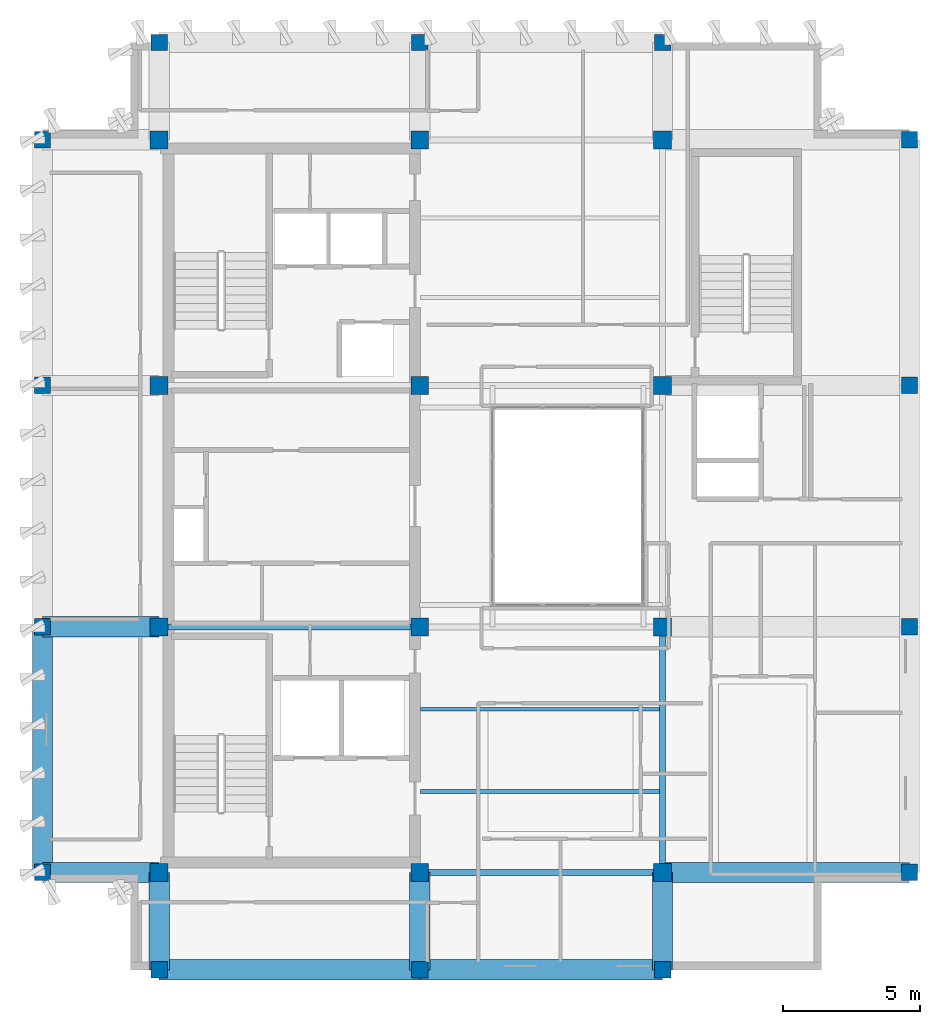
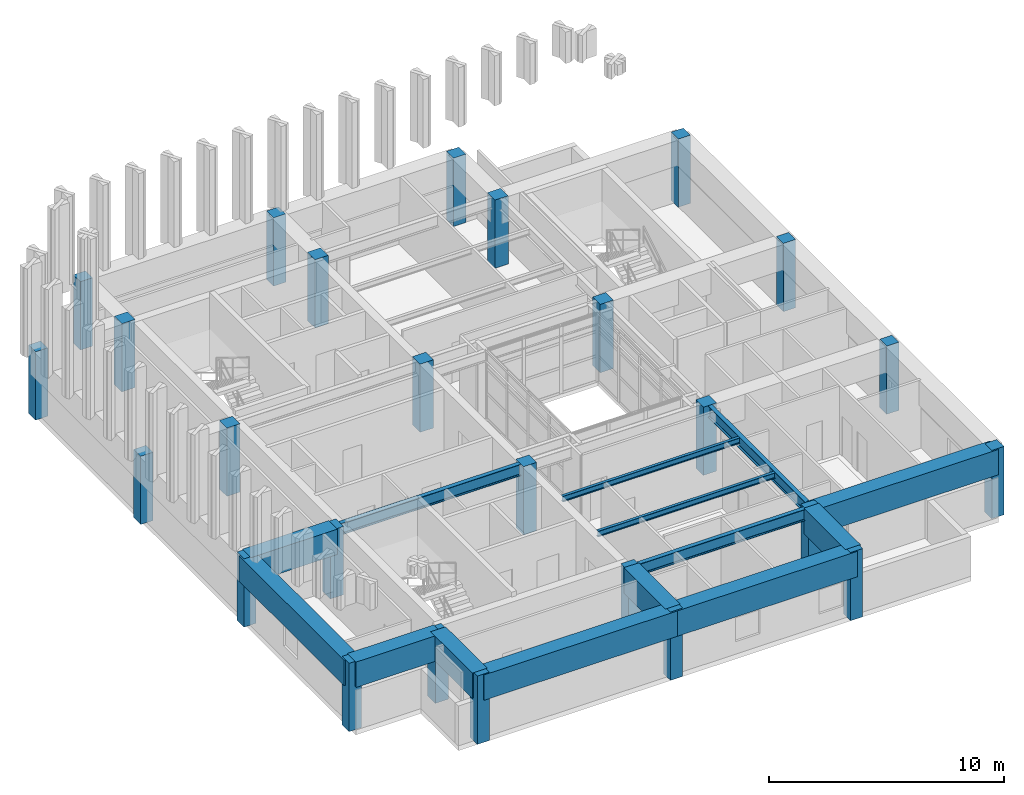
# One storey, part 1 of 11: 26 columns, 14 beams.
"""IFC4 building model written with IfcOpenShell, lengths in metres."""

from ifc_helpers import new_model, si_unit, direction, frame, origin, origin_2d, place, context, subcontext, project, spatial, rectangle, i_section, extrude, material, material_profile, profile_set, type_object, element, save


model = new_model("IFC4")

# Units and contexts
model_context = context("Model", 3, precision=1e-05, world=origin(), true_north=direction((0.0, 1.0)))
body_context = subcontext(model_context, "Body", "Model", "MODEL_VIEW")
ifc_project = project(units=[si_unit("LENGTHUNIT", "METRE"), si_unit("AREAUNIT", "SQUARE_METRE"), si_unit("VOLUMEUNIT", "CUBIC_METRE"), si_unit("PLANEANGLEUNIT", "RADIAN"), si_unit("MASSUNIT", "GRAM", prefix="KILO")], contexts=[model_context])

# Site, building, storey
site_placement = place(None, origin())
site = spatial("IfcSite", under=ifc_project, at=site_placement, CompositionType="ELEMENT")
building_placement = place(site_placement, origin())
building = spatial("IfcBuilding", under=site, at=building_placement, Name="Kundavana Baori Tower", CompositionType="ELEMENT")
storey_placement = place(building_placement, frame((0.0, 0.0, 346.699951171875)))
storey = spatial("IfcBuildingStorey", under=building, at=storey_placement, Name="L86", CompositionType="ELEMENT", Elevation=346.699951171875)

# Columns
ifc_material_1 = material(Name="Concrete C50/60", Category="concrete")
ifc_material_profile_1 = material_profile(ifc_material_1, rectangle(XDim=0.60009765625, YDim=0.60009765625, at=origin_2d()), Name="RC PF 600x600")
ifc_profile_set_1 = profile_set([ifc_material_profile_1], Name="Concrete C50/60")
column_type_1 = type_object("IfcColumnType", Name="COL-PF-600", PredefinedType="COLUMN", material=ifc_profile_set_1)
for number, where, z_axis, x_axis, name in (
    (1, (15.449951171875, 11.699951171875, 0.0), (0.0, 0.0, 1.0), (1.0, 0.0, 0.0), "L86 Stone-Clad Perimeter Frame Column PF-S1"),
    (2, (15.449951171875, 45.5, 0.0), (0.0, 0.0, 1.0), (1.0, 0.0, 0.0), "L86 Stone-Clad Perimeter Frame Column PF-N1"),
    (3, (24.949951171875, 11.699951171875, 0.0), (0.0, 0.0, 1.0), (1.0, 0.0, 0.0), "L86 Stone-Clad Perimeter Frame Column PF-S2"),
    (4, (24.949951171875, 45.5, 0.0), (0.0, 0.0, 1.0), (1.0, 0.0, 0.0), "L86 Stone-Clad Perimeter Frame Column PF-N2"),
    (5, (33.800048828125, 11.699951171875, 0.0), (0.0, 0.0, 1.0), (1.0, 0.0, 0.0), "L86 Stone-Clad Perimeter Frame Column PF-S3"),
    (6, (33.800048828125, 45.5, 0.0), (0.0, 0.0, 1.0), (1.0, 0.0, 0.0), "L86 Stone-Clad Perimeter Frame Column PF-N3"),
    (7, (11.199951171875, 15.25, 0.0), (0.0, 0.0, 1.0), (1.0, 0.0, 0.0), "L86 Stone-Clad Perimeter Frame Column PF-W1"),
    (8, (42.800048828125, 15.25, 0.0), (0.0, 0.0, 1.0), (1.0, 0.0, 0.0), "L86 Stone-Clad Perimeter Frame Column PF-E1"),
    (9, (11.199951171875, 24.199951171875, 0.0), (0.0, 0.0, 1.0), (1.0, 0.0, 0.0), "L86 Stone-Clad Perimeter Frame Column PF-W2"),
    (10, (42.800048828125, 24.199951171875, 0.0), (0.0, 0.0, 1.0), (1.0, 0.0, 0.0), "L86 Stone-Clad Perimeter Frame Column PF-E2"),
    (11, (11.199951171875, 33.0, 0.0), (0.0, 0.0, 1.0), (1.0, 0.0, 0.0), "L86 Stone-Clad Perimeter Frame Column PF-W3"),
    (12, (42.800048828125, 33.0, 0.0), (0.0, 0.0, 1.0), (1.0, 0.0, 0.0), "L86 Stone-Clad Perimeter Frame Column PF-E3"),
    (13, (11.199951171875, 41.949951171875, 0.0), (0.0, 0.0, 1.0), (1.0, 0.0, 0.0), "L86 Stone-Clad Perimeter Frame Column PF-W4"),
    (14, (42.800048828125, 41.949951171875, 0.0), (0.0, 0.0, 1.0), (1.0, 0.0, 0.0), "L86 Stone-Clad Perimeter Frame Column PF-E4"),
):
    element("IfcColumn", number, at=place(storey_placement, frame(where, z_axis=z_axis, x_axis=x_axis)), inside=storey, type_object=column_type_1, Name=name, PredefinedType="COLUMN", context=body_context, shape_type="SweptSolid", body=[
        extrude(rectangle(XDim=0.60009765625, YDim=0.60009765625, at=origin_2d()), origin(), (0.0, 0.0, 1.0), 3.550048828125),
    ])
ifc_material_2 = material(Name="Concrete C50/60", Category="concrete")
ifc_material_profile_2 = material_profile(ifc_material_2, rectangle(XDim=0.64990234375, YDim=0.64990234375, at=origin_2d()), Name="RC 650x650")
ifc_profile_set_2 = profile_set([ifc_material_profile_2], Name="Concrete C50/60")
column_type_2 = type_object("IfcColumnType", Name="COL-RC-650", PredefinedType="COLUMN", material=ifc_profile_set_2)
for number, where, z_axis, x_axis, name in (
    (15, (15.449951171875, 15.25, 0.0), (0.0, 0.0, 1.0), (1.0, 0.0, 0.0), "L86 Interior Column IC-3C"),
    (16, (15.449951171875, 24.199951171875, 0.0), (0.0, 0.0, 1.0), (1.0, 0.0, 0.0), "L86 Interior Column IC-3D"),
    (17, (15.449951171875, 33.0, 0.0), (0.0, 0.0, 1.0), (1.0, 0.0, 0.0), "L86 Interior Column IC-3E"),
    (18, (15.449951171875, 41.949951171875, 0.0), (0.0, 0.0, 1.0), (1.0, 0.0, 0.0), "L86 Interior Column IC-3F"),
    (19, (24.949951171875, 15.25, 0.0), (0.0, 0.0, 1.0), (1.0, 0.0, 0.0), "L86 Interior Column IC-4C"),
    (20, (24.949951171875, 24.199951171875, 0.0), (0.0, 0.0, 1.0), (1.0, 0.0, 0.0), "L86 Interior Column IC-4D"),
    (21, (24.949951171875, 33.0, 0.0), (0.0, 0.0, 1.0), (1.0, 0.0, 0.0), "L86 Interior Column IC-4E"),
    (22, (24.949951171875, 41.949951171875, 0.0), (0.0, 0.0, 1.0), (1.0, 0.0, 0.0), "L86 Interior Column IC-4F"),
    (23, (33.800048828125, 15.25, 0.0), (0.0, 0.0, 1.0), (1.0, 0.0, 0.0), "L86 Interior Column IC-5C"),
    (24, (33.800048828125, 24.199951171875, 0.0), (0.0, 0.0, 1.0), (1.0, 0.0, 0.0), "L86 Interior Column IC-5D"),
    (25, (33.800048828125, 33.0, 0.0), (0.0, 0.0, 1.0), (1.0, 0.0, 0.0), "L86 Interior Column IC-5E"),
    (26, (33.800048828125, 41.949951171875, 0.0), (0.0, 0.0, 1.0), (1.0, 0.0, 0.0), "L86 Interior Column IC-5F"),
):
    element("IfcColumn", number, at=place(storey_placement, frame(where, z_axis=z_axis, x_axis=x_axis)), inside=storey, type_object=column_type_2, Name=name, PredefinedType="COLUMN", context=body_context, shape_type="SweptSolid", body=[
        extrude(rectangle(XDim=0.64990234375, YDim=0.64990234375, at=origin_2d()), origin(), (0.0, 0.0, 1.0), 3.550048828125),
    ])

# Beams
ifc_material_3 = material(Name="Structural Steel S355JR", Category="steel")
ifc_material_profile_3 = material_profile(ifc_material_3, i_section(OverallWidth=0.139892578125, OverallDepth=0.300048828125, WebThickness=0.0078125, FlangeThickness=0.01318359375, FilletRadius=0.013916015625, at=origin_2d()), Name="ISMB 300")
ifc_profile_set_3 = profile_set([ifc_material_profile_3], Name="Structural Steel S355JR")
beam_type_1 = type_object("IfcBeamType", Name="BM-RF-300", PredefinedType="BEAM", material=ifc_profile_set_3)
for number, where, z_axis, x_axis, name in (
    (27, (24.97998046875, 18.199951171875, 3.400146484375), (1.0, 0.0, 0.0), (0.0, 1.0, 0.0), "L86 Central Bay Composite Floor Joist C1"),
    (28, (24.97998046875, 21.199951171875, 3.400146484375), (1.0, 0.0, 0.0), (0.0, 1.0, 0.0), "L86 Central Bay Composite Floor Joist C2"),
):
    element("IfcBeam", number, at=place(storey_placement, frame(where, z_axis=z_axis, x_axis=x_axis)), inside=storey, type_object=beam_type_1, Name=name, PredefinedType="BEAM", context=body_context, shape_type="SweptSolid", body=[
        extrude(i_section(OverallWidth=0.139892578125, OverallDepth=0.300048828125, WebThickness=0.0078125, FlangeThickness=0.01318359375, FilletRadius=0.013916015625, at=origin_2d()), origin(), (0.0, 0.0, 1.0), 8.715087890625),
    ])
ifc_material_4 = material(Name="Structural Steel S355JR", Category="steel")
ifc_material_profile_4 = material_profile(ifc_material_4, i_section(OverallWidth=0.2099609375, OverallDepth=0.60009765625, WebThickness=0.011962890625, FlangeThickness=0.020751953125, FilletRadius=0.02001953125, at=origin_2d()), Name="ISMB 600")
ifc_profile_set_4 = profile_set([ifc_material_profile_4], Name="Structural Steel S355JR")
beam_type_2 = type_object("IfcBeamType", Name="BM-ST-600", PredefinedType="BEAM", material=ifc_profile_set_4)
beam_1_placement = place(storey_placement, frame((24.949951171875, 15.25, 3.25), z_axis=(1.0, 0.0, 0.0), x_axis=(0.0, 1.0, 0.0)))
element("IfcBeam", 29, at=beam_1_placement, inside=storey, type_object=beam_type_2, Name="L86 Primary Grid Girder GX-1-2", PredefinedType="BEAM", context=body_context, shape_type="SweptSolid", body=[
    extrude(i_section(OverallWidth=0.2099609375, OverallDepth=0.60009765625, WebThickness=0.011962890625, FlangeThickness=0.020751953125, FilletRadius=0.02001953125, at=origin_2d()), origin(), (0.0, 0.0, 1.0), 8.85009765625),
])
beam_2_placement = place(storey_placement, frame((15.449951171875, 24.199951171875, 3.25), z_axis=(1.0, 0.0, 0.0), x_axis=(0.0, 1.0, 0.0)))
element("IfcBeam", 30, at=beam_2_placement, inside=storey, type_object=beam_type_2, Name="L86 Primary Grid Girder GX-2-1", PredefinedType="BEAM", context=body_context, shape_type="SweptSolid", body=[
    extrude(i_section(OverallWidth=0.2099609375, OverallDepth=0.60009765625, WebThickness=0.011962890625, FlangeThickness=0.020751953125, FilletRadius=0.02001953125, at=origin_2d()), origin(), (0.0, 0.0, 1.0), 9.5),
])
beam_3_placement = place(storey_placement, frame((33.800048828125, 15.25, 3.25), z_axis=(0.0, 1.0, 0.0), x_axis=(-1.0, 0.0, 0.0)))
element("IfcBeam", 31, at=beam_3_placement, inside=storey, type_object=beam_type_2, Name="L86 Primary Grid Girder GY-3-1", PredefinedType="BEAM", context=body_context, shape_type="SweptSolid", body=[
    extrude(i_section(OverallWidth=0.2099609375, OverallDepth=0.60009765625, WebThickness=0.011962890625, FlangeThickness=0.020751953125, FilletRadius=0.02001953125, at=origin_2d()), origin(), (0.0, 0.0, 1.0), 8.949951171875),
])
ifc_material_5 = material(Name="Concrete C50/60", Category="concrete")
ifc_material_profile_5 = material_profile(ifc_material_5, rectangle(XDim=0.739990234375, YDim=1.320068359375, at=origin_2d()), Name="BM-TG-5")
ifc_profile_set_5 = profile_set([ifc_material_profile_5], Name="Concrete C50/60")
beam_type_3 = type_object("IfcBeamType", Name="BM-TG-5", PredefinedType="USERDEFINED", material=ifc_profile_set_5)
beam_4_placement = place(storey_placement, frame((15.449951171875, 11.699951171875, 2.89013671875), z_axis=(1.0, 0.0, 0.0), x_axis=(0.0, 1.0, 0.0)))
element("IfcBeam", 32, at=beam_4_placement, inside=storey, type_object=beam_type_3, Name="L86 Perimeter Frame Ring Beam S1", ObjectType="TRANSFER GIRDER", PredefinedType="USERDEFINED", context=body_context, shape_type="SweptSolid", body=[
    extrude(rectangle(XDim=0.739990234375, YDim=1.320068359375, at=origin_2d()), origin(), (0.0, 0.0, 1.0), 9.5),
])
beam_5_placement = place(storey_placement, frame((24.949951171875, 11.699951171875, 2.89013671875), z_axis=(1.0, 0.0, 0.0), x_axis=(0.0, 1.0, 0.0)))
element("IfcBeam", 33, at=beam_5_placement, inside=storey, type_object=beam_type_3, Name="L86 Perimeter Frame Ring Beam S2", ObjectType="TRANSFER GIRDER", PredefinedType="USERDEFINED", context=body_context, shape_type="SweptSolid", body=[
    extrude(rectangle(XDim=0.739990234375, YDim=1.320068359375, at=origin_2d()), origin(), (0.0, 0.0, 1.0), 8.85009765625),
])
beam_6_placement = place(storey_placement, frame((11.199951171875, 15.25, 2.89013671875), z_axis=(0.0, 1.0, 0.0), x_axis=(-1.0, 0.0, 0.0)))
element("IfcBeam", 34, at=beam_6_placement, inside=storey, type_object=beam_type_3, Name="L86 Perimeter Frame Ring Beam W1", ObjectType="TRANSFER GIRDER", PredefinedType="USERDEFINED", context=body_context, shape_type="SweptSolid", body=[
    extrude(rectangle(XDim=0.739990234375, YDim=1.320068359375, at=origin_2d()), origin(), (0.0, 0.0, 1.0), 8.949951171875),
])
for number, where, z_axis, x_axis, name in (
    (35, (15.449951171875, 15.25, 2.89013671875), (0.0, -1.0, 0.0), (1.0, 0.0, 0.0), "L86 South Radial Transfer Girder S1"),
    (36, (24.949951171875, 15.25, 2.89013671875), (0.0, -1.0, 0.0), (1.0, 0.0, 0.0), "L86 South Radial Transfer Girder S2"),
    (37, (33.800048828125, 15.25, 2.89013671875), (0.0, -1.0, 0.0), (1.0, 0.0, 0.0), "L86 South Radial Transfer Girder S3"),
):
    element("IfcBeam", number, at=place(storey_placement, frame(where, z_axis=z_axis, x_axis=x_axis)), inside=storey, type_object=beam_type_3, Name=name, ObjectType="TRANSFER GIRDER", PredefinedType="USERDEFINED", context=body_context, shape_type="SweptSolid", body=[
        extrude(rectangle(XDim=0.739990234375, YDim=1.320068359375, at=origin_2d()), origin(), (0.0, 0.0, 1.0), 3.550048828125),
    ])
beam_7_placement = place(storey_placement, frame((15.449951171875, 15.25, 2.89013671875), z_axis=(-1.0, 0.0, 0.0), x_axis=(0.0, -1.0, 0.0)))
element("IfcBeam", 38, at=beam_7_placement, inside=storey, type_object=beam_type_3, Name="L86 West Radial Transfer Girder W1", ObjectType="TRANSFER GIRDER", PredefinedType="USERDEFINED", context=body_context, shape_type="SweptSolid", body=[
    extrude(rectangle(XDim=0.739990234375, YDim=1.320068359375, at=origin_2d()), origin(), (0.0, 0.0, 1.0), 4.25),
])
beam_8_placement = place(storey_placement, frame((33.800048828125, 15.25, 2.89013671875), z_axis=(1.0, 0.0, 0.0), x_axis=(0.0, 1.0, 0.0)))
element("IfcBeam", 39, at=beam_8_placement, inside=storey, type_object=beam_type_3, Name="L86 East Radial Transfer Girder E1", ObjectType="TRANSFER GIRDER", PredefinedType="USERDEFINED", context=body_context, shape_type="SweptSolid", body=[
    extrude(rectangle(XDim=0.739990234375, YDim=1.320068359375, at=origin_2d()), origin(), (0.0, 0.0, 1.0), 9.0),
])
beam_9_placement = place(storey_placement, frame((15.449951171875, 24.199951171875, 2.89013671875), z_axis=(-1.0, 0.0, 0.0), x_axis=(0.0, -1.0, 0.0)))
element("IfcBeam", 40, at=beam_9_placement, inside=storey, type_object=beam_type_3, Name="L86 West Radial Transfer Girder W2", ObjectType="TRANSFER GIRDER", PredefinedType="USERDEFINED", context=body_context, shape_type="SweptSolid", body=[
    extrude(rectangle(XDim=0.739990234375, YDim=1.320068359375, at=origin_2d()), origin(), (0.0, 0.0, 1.0), 4.25),
])

save(model, "model.ifc")
